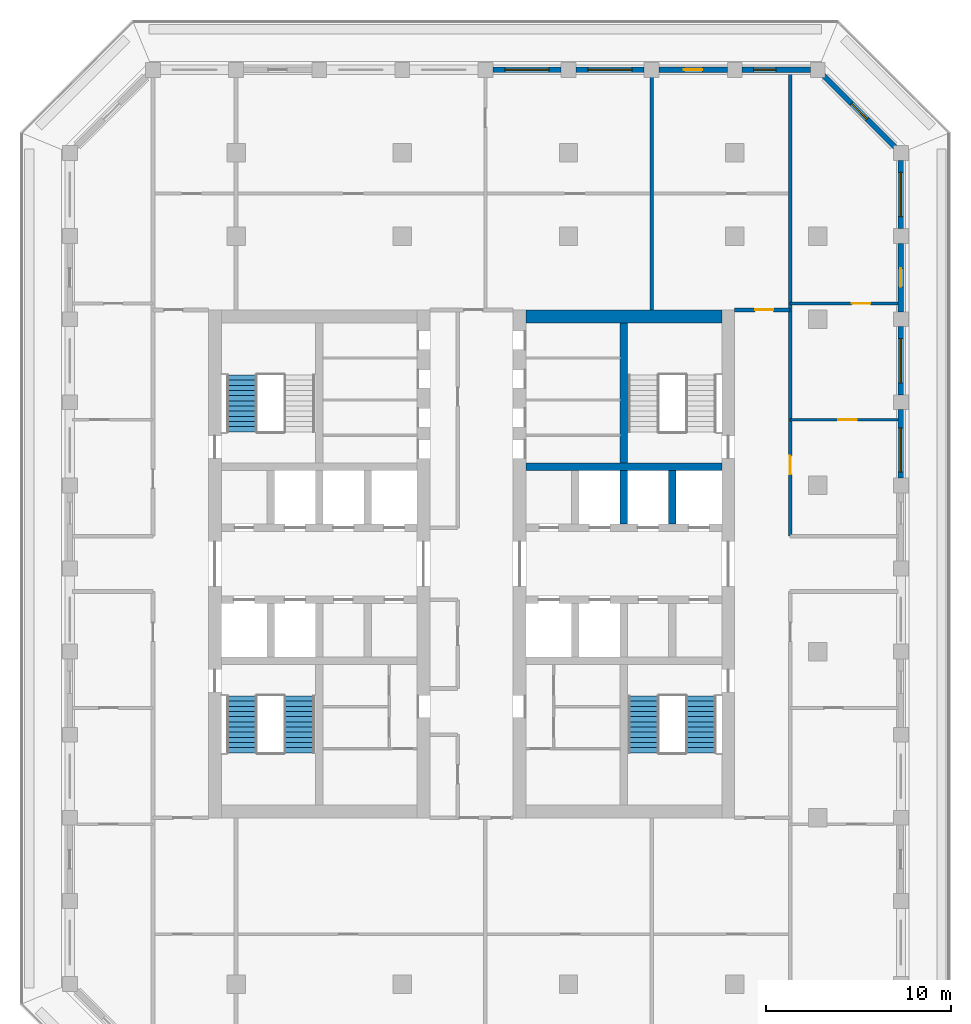
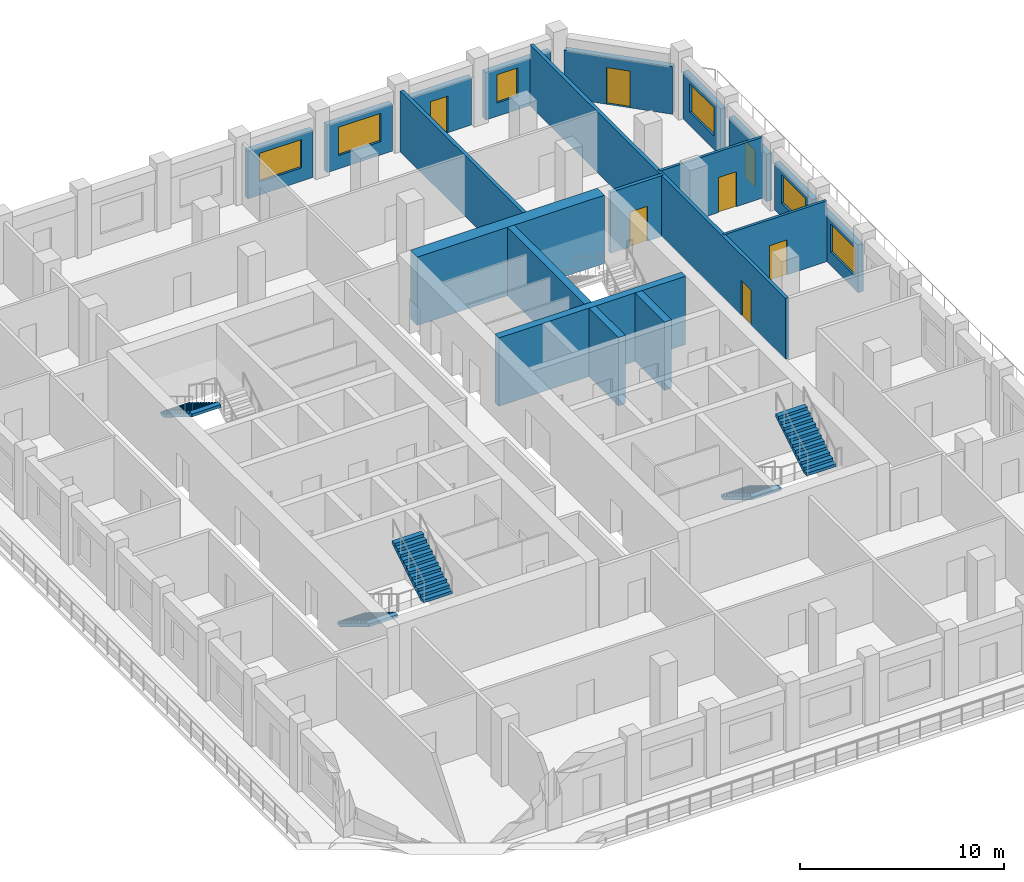
# One storey, part 7 of 17: 19 walls, 7 doors, 6 windows, 5 stair flights, 13 openings, 3 elements without a shape of their own.
"""IFC4 building model written with IfcOpenShell, lengths in metres."""

from ifc_helpers import new_model, si_unit, direction, frame, frame_2d, origin, place, context, subcontext, project, spatial, polyline, rectangle, outline, extrude, material, layer, layer_set, type_object, element, fill, aggregate, save


model = new_model("IFC4")

# Units and contexts
model_context = context("Model", 3, precision=1e-05, world=origin(), true_north=direction((0.0, 1.0)))
body_context = subcontext(model_context, "Body", "Model", "MODEL_VIEW")
ifc_project = project(units=[si_unit("LENGTHUNIT", "METRE"), si_unit("AREAUNIT", "SQUARE_METRE"), si_unit("VOLUMEUNIT", "CUBIC_METRE"), si_unit("PLANEANGLEUNIT", "RADIAN"), si_unit("MASSUNIT", "GRAM", prefix="KILO")], contexts=[model_context])

# Site, building, storey
site_placement = place(None, origin())
site = spatial("IfcSite", under=ifc_project, at=site_placement, CompositionType="ELEMENT")
building_placement = place(site_placement, origin())
building = spatial("IfcBuilding", under=site, at=building_placement, Name="Corbel Stack Research Tower", CompositionType="ELEMENT")
storey_placement = place(building_placement, frame((0.0, 0.0, 235.699951171875)))
storey = spatial("IfcBuildingStorey", under=building, at=storey_placement, Name="L53", CompositionType="ELEMENT", Elevation=235.699951171875)

# Walls
ifc_material_1 = material(Name="Concrete C60/75", Category="concrete")
ifc_layer_1 = layer(ifc_material_1, 0.39990234375)
ifc_layer_set_1 = layer_set([ifc_layer_1], Name="Concrete C60/75")
wall_type_1 = type_object("IfcWallType", Name="CW-400-60", PredefinedType="SHEAR", material=ifc_layer_set_1)
wall_1_placement = place(storey_placement, frame((6.699951171875, 10.0, 0.0), z_axis=(0.0, 0.0, 1.0), x_axis=(1.0, 0.0, 0.0)))
element("IfcWall", 1, at=wall_1_placement, inside=storey, type_object=wall_type_1, Name="East core wall, north row back L53", PredefinedType="SHEAR", context=body_context, shape_type="SweptSolid", body=[
    extrude(rectangle(XDim=10.60009765625, YDim=0.39990234375, at=frame_2d((5.300048828125, 0.0))), origin(), (0.0, 0.0, 1.0), 4.10009765625),
])
for number, where, z_axis, x_axis, name in (
    (2, (12.0, 6.89990234375, 0.0), (0.0, 0.0, 1.0), (0.0, 1.0, 0.0), "East core wall, north shaft 2 L53"),
    (3, (14.625, 6.89990234375, 0.0), (0.0, 0.0, 1.0), (0.0, 1.0, 0.0), "East core wall, north shaft 3 L53"),
):
    element("IfcWall", number, at=place(storey_placement, frame(where, z_axis=z_axis, x_axis=x_axis)), inside=storey, type_object=wall_type_1, Name=name, PredefinedType="SHEAR", context=body_context, shape_type="SweptSolid", body=[
        extrude(rectangle(XDim=2.900146484375, YDim=0.39990234375, at=frame_2d((1.4501953125, 0.0))), origin(), (0.0, 0.0, 1.0), 4.10009765625),
    ])
wall_2_placement = place(storey_placement, frame((12.0, 10.199951171875, 0.0), z_axis=(0.0, 0.0, 1.0), x_axis=(0.0, 1.0, 0.0)))
element("IfcWall", 4, at=wall_2_placement, inside=storey, type_object=wall_type_1, Name="East core wall, north stair and riser L53", PredefinedType="SHEAR", context=body_context, shape_type="SweptSolid", body=[
    extrude(rectangle(XDim=7.60009765625, YDim=0.39990234375, at=frame_2d((3.800048828125, 0.0))), origin(), (0.0, 0.0, 1.0), 4.10009765625),
])
ifc_material_2 = material(Name="Concrete C60/75", Category="concrete")
ifc_layer_2 = layer(ifc_material_2, 0.699951171875)
ifc_layer_set_2 = layer_set([ifc_layer_2], Name="Concrete C60/75")
wall_type_2 = type_object("IfcWallType", Name="CW-700-60", PredefinedType="SHEAR", material=ifc_layer_set_2)
wall_3_placement = place(storey_placement, frame((6.699951171875, 18.14990234375, 0.0), z_axis=(0.0, 0.0, 1.0), x_axis=(1.0, 0.0, 0.0)))
element("IfcWall", 5, at=wall_3_placement, inside=storey, type_object=wall_type_2, Name="East core wall, north end L53", PredefinedType="SHEAR", context=body_context, shape_type="SweptSolid", body=[
    extrude(rectangle(XDim=10.60009765625, YDim=0.699951171875, at=frame_2d((5.300048828125, 0.0))), origin(), (0.0, 0.0, 1.0), 4.10009765625),
])
ifc_material_3 = material(Name="Fire-rated gypsum board partition on steel studs", Category="steel")
ifc_layer_3 = layer(ifc_material_3, 0.199951171875)
ifc_layer_set_3 = layer_set([ifc_layer_3], Name="Fire-rated gypsum board partition on steel studs")
wall_type_3 = type_object("IfcWallType", Name="Fire-rated partition 200 EI 60", PredefinedType="PARTITIONING", material=ifc_layer_set_3)
wall_4_placement = place(storey_placement, frame((13.5, 18.5, 0.0), z_axis=(0.0, 0.0, 1.0), x_axis=(0.0, 1.0, 0.0)))
element("IfcWall", 6, at=wall_4_placement, inside=storey, type_object=wall_type_3, Name="Partition L53-014", PredefinedType="PARTITIONING", context=body_context, shape_type="SweptSolid", body=[
    extrude(rectangle(XDim=12.60009765625, YDim=0.199951171875, at=frame_2d((6.300048828125, 0.0))), origin(), (0.0, 0.0, 1.0), 3.650146484375),
])

# Wall, opening, door
wall_5_placement = place(storey_placement, frame((21.0, 31.35009765625, 0.0), z_axis=(0.0, 0.0, 1.0), x_axis=(0.0, -1.0, 0.0)))
wall_5 = element("IfcWall", 7, at=wall_5_placement, inside=storey, type_object=wall_type_3, Name="Partition L53-016", PredefinedType="PARTITIONING", context=body_context, shape_type="SweptSolid", body=[
    extrude(rectangle(XDim=25.10009765625, YDim=0.199951171875, at=frame_2d((12.550048828125, 0.0))), origin(), (0.0, 0.0, 1.0), 3.650146484375),
])
opening_1_placement = place(wall_5_placement, frame((20.75, 0.0, 0.0)))
opening_1 = element("IfcOpeningElement", 8, at=opening_1_placement, cuts=wall_5, Name="Opening B7V0-027", PredefinedType="OPENING", context=body_context, shape_type="SweptSolid", body=[
    extrude(rectangle(XDim=1.0, YDim=2.10009765625, at=frame_2d((0.5, 1.050048828125))), frame((0.0, 0.10986328125, 0.0), z_axis=(0.0, -1.0, 0.0), x_axis=(1.0, 0.0, 0.0)), (0.0, 0.0, 1.0), 0.219970703125),
])
ifc_material_4 = material(Name="Painted steel fire door", Category="steel")
door_type_1 = type_object("IfcDoorType", Name="Fire door FD30S 1000 x 2100", OperationType="NOTDEFINED", PredefinedType="DOOR", material=ifc_material_4)
door_1_placement = place(opening_1_placement, origin())
door_1 = element("IfcDoor", 9, at=door_1_placement, inside=storey, type_object=door_type_1, Name="Door B7V0-027", OperationType="SINGLE_SWING_RIGHT", OverallHeight=2.10009765625, OverallWidth=1.0, PredefinedType="DOOR", context=body_context, shape_type="SweptSolid", body=[
    extrude(rectangle(XDim=1.0, YDim=2.10009765625, at=frame_2d((0.5, 1.050048828125))), frame((0.0, 0.02490234375, 0.0), z_axis=(0.0, -1.0, 0.0), x_axis=(1.0, 0.0, 0.0)), (0.0, 0.0, 1.0), 0.050048828125),
])
fill(opening_1, door_1)

wall_6_placement = place(storey_placement, frame((18.0, 18.5, 0.0), z_axis=(0.0, 0.0, 1.0), x_axis=(1.0, 0.0, 0.0)))
wall_6 = element("IfcWall", 10, at=wall_6_placement, inside=storey, type_object=wall_type_3, Name="Partition L53-038", PredefinedType="PARTITIONING", context=body_context, shape_type="SweptSolid", body=[
    extrude(rectangle(XDim=3.0, YDim=0.199951171875, at=frame_2d((1.5, 0.0))), origin(), (0.0, 0.0, 1.0), 3.650146484375),
])
opening_2_placement = place(wall_6_placement, frame((1.10009765625, 0.0, 0.0)))
opening_2 = element("IfcOpeningElement", 11, at=opening_2_placement, cuts=wall_6, Name="Opening B7V0-023", PredefinedType="OPENING", context=body_context, shape_type="SweptSolid", body=[
    extrude(rectangle(XDim=1.0, YDim=2.10009765625, at=frame_2d((0.5, 1.050048828125))), frame((0.0, 0.10986328125, 0.0), z_axis=(0.0, -1.0, 0.0), x_axis=(1.0, 0.0, 0.0)), (0.0, 0.0, 1.0), 0.219970703125),
])
door_2_placement = place(opening_2_placement, origin())
door_2 = element("IfcDoor", 12, at=door_2_placement, inside=storey, type_object=door_type_1, Name="Door B7V0-023", OperationType="SINGLE_SWING_RIGHT", OverallHeight=2.10009765625, OverallWidth=1.0, PredefinedType="DOOR", context=body_context, shape_type="SweptSolid", body=[
    extrude(rectangle(XDim=1.0, YDim=2.10009765625, at=frame_2d((0.5, 1.050048828125))), frame((0.0, 0.02490234375, 0.0), z_axis=(0.0, -1.0, 0.0), x_axis=(1.0, 0.0, 0.0)), (0.0, 0.0, 1.0), 0.050048828125),
])
fill(opening_2, door_2)

ifc_material_5 = material(Name="Gypsum board partition on steel studs", Category="steel")
ifc_layer_4 = layer(ifc_material_5, 0.14990234375)
ifc_layer_set_4 = layer_set([ifc_layer_4], Name="Gypsum board partition on steel studs")
wall_type_4 = type_object("IfcWallType", Name="Partition 150", PredefinedType="PARTITIONING", material=ifc_layer_set_4)
wall_7_placement = place(storey_placement, frame((21.0, 12.550048828125, 0.0), z_axis=(0.0, 0.0, 1.0), x_axis=(1.0, 0.0, 0.0)))
wall_7 = element("IfcWall", 13, at=wall_7_placement, inside=storey, type_object=wall_type_4, Name="Partition L53-035", PredefinedType="PARTITIONING", context=body_context, shape_type="SweptSolid", body=[
    extrude(rectangle(XDim=5.85009765625, YDim=0.14990234375, at=frame_2d((2.925048828125, 0.0))), origin(), (0.0, 0.0, 1.0), 3.650146484375),
])
opening_3_placement = place(wall_7_placement, frame((2.60009765625, 0.0, 0.0)))
opening_3 = element("IfcOpeningElement", 14, at=opening_3_placement, cuts=wall_7, Name="Opening B7V0-020", PredefinedType="OPENING", context=body_context, shape_type="SweptSolid", body=[
    extrude(rectangle(XDim=1.0, YDim=2.10009765625, at=frame_2d((0.5, 1.050048828125))), frame((0.0, 0.0849609375, 0.0), z_axis=(0.0, -1.0, 0.0), x_axis=(1.0, 0.0, 0.0)), (0.0, 0.0, 1.0), 0.169921875),
])
ifc_material_6 = material(Name="Painted timber door", Category="wood")
door_type_2 = type_object("IfcDoorType", Name="Single door 1000 x 2100", OperationType="NOTDEFINED", PredefinedType="DOOR", material=ifc_material_6)
door_3_placement = place(opening_3_placement, origin())
door_3 = element("IfcDoor", 15, at=door_3_placement, inside=storey, type_object=door_type_2, Name="Door B7V0-020", OperationType="SINGLE_SWING_RIGHT", OverallHeight=2.10009765625, OverallWidth=1.0, PredefinedType="DOOR", context=body_context, shape_type="SweptSolid", body=[
    extrude(rectangle(XDim=1.0, YDim=2.10009765625, at=frame_2d((0.5, 1.050048828125))), frame((0.0, 0.02490234375, 0.0), z_axis=(0.0, -1.0, 0.0), x_axis=(1.0, 0.0, 0.0)), (0.0, 0.0, 1.0), 0.050048828125),
])
fill(opening_3, door_3)

wall_8_placement = place(storey_placement, frame((21.0, 18.85009765625, 0.0), z_axis=(0.0, 0.0, 1.0), x_axis=(1.0, 0.0, 0.0)))
wall_8 = element("IfcWall", 16, at=wall_8_placement, inside=storey, type_object=wall_type_4, Name="Partition L53-040", PredefinedType="PARTITIONING", context=body_context, shape_type="SweptSolid", body=[
    extrude(rectangle(XDim=5.85009765625, YDim=0.14990234375, at=frame_2d((2.925048828125, 0.0))), origin(), (0.0, 0.0, 1.0), 3.650146484375),
])
opening_4_placement = place(wall_8_placement, frame((3.35009765625, 0.0, 0.0)))
opening_4 = element("IfcOpeningElement", 17, at=opening_4_placement, cuts=wall_8, Name="Opening B7V0-025", PredefinedType="OPENING", context=body_context, shape_type="SweptSolid", body=[
    extrude(rectangle(XDim=1.0, YDim=2.10009765625, at=frame_2d((0.5, 1.050048828125))), frame((0.0, 0.0849609375, 0.0), z_axis=(0.0, -1.0, 0.0), x_axis=(1.0, 0.0, 0.0)), (0.0, 0.0, 1.0), 0.169921875),
])
door_4_placement = place(opening_4_placement, origin())
door_4 = element("IfcDoor", 18, at=door_4_placement, inside=storey, type_object=door_type_2, Name="Door B7V0-025", OperationType="SINGLE_SWING_RIGHT", OverallHeight=2.10009765625, OverallWidth=1.0, PredefinedType="DOOR", context=body_context, shape_type="SweptSolid", body=[
    extrude(rectangle(XDim=1.0, YDim=2.10009765625, at=frame_2d((0.5, 1.050048828125))), frame((0.0, 0.02490234375, 0.0), z_axis=(0.0, -1.0, 0.0), x_axis=(1.0, 0.0, 0.0)), (0.0, 0.0, 1.0), 0.050048828125),
])
fill(opening_4, door_4)

# Wall, opening, window
ifc_material_7 = material(Name="Concrete C45/55", Category="concrete")
ifc_layer_5 = layer(ifc_material_7, 0.300048828125)
ifc_layer_set_5 = layer_set([ifc_layer_5], Name="Concrete C45/55")
wall_type_5 = type_object("IfcWallType", Name="Terracotta-faced concrete wall 300", PredefinedType="SOLIDWALL", material=ifc_layer_set_5)
wall_9_placement = place(storey_placement, frame((27.0, 13.10009765625, 0.0), z_axis=(0.0, 0.0, 1.0), x_axis=(0.0, -1.0, 0.0)))
wall_9 = element("IfcWall", 19, at=wall_9_placement, inside=storey, type_object=wall_type_5, Name="Facade wall L53 E07", PredefinedType="SOLIDWALL", context=body_context, shape_type="SweptSolid", body=[
    extrude(rectangle(XDim=3.7001953125, YDim=0.300048828125, at=frame_2d((1.85009765625, 0.0))), origin(), (0.0, 0.0, 1.0), 2.85009765625),
])
opening_5_placement = place(wall_9_placement, frame((0.987548828125, 0.0, 0.800048828125)))
opening_5 = element("IfcOpeningElement", 20, at=opening_5_placement, cuts=wall_9, Name="Opening W1", PredefinedType="OPENING", context=body_context, shape_type="SweptSolid", body=[
    extrude(rectangle(XDim=2.39990234375, YDim=1.699951171875, at=frame_2d((1.199951171875, 0.85009765625))), frame((0.0, 0.159912109375, 0.0), z_axis=(0.0, -1.0, 0.0), x_axis=(1.0, 0.0, 0.0)), (0.0, 0.0, 1.0), 0.320068359375),
])
ifc_material_8 = material(Name="Aluminium frame, clear double glazing", Category="aluminium")
window_type_1 = type_object("IfcWindowType", Name="Window W1 2400 x 1700", PartitioningType="SINGLE_PANEL", PredefinedType="WINDOW", material=ifc_material_8)
window_1_placement = place(opening_5_placement, origin())
window_1 = element("IfcWindow", 21, at=window_1_placement, inside=storey, type_object=window_type_1, Name="Window W1 L53 E07", OverallHeight=1.699951171875, OverallWidth=2.39990234375, PartitioningType="SINGLE_PANEL", PredefinedType="WINDOW", context=body_context, shape_type="SweptSolid", body=[
    extrude(rectangle(XDim=2.39990234375, YDim=1.699951171875, at=frame_2d((1.199951171875, 0.85009765625))), frame((0.0, 0.030029296875, 0.0), z_axis=(0.0, -1.0, 0.0), x_axis=(1.0, 0.0, 0.0)), (0.0, 0.0, 1.0), 0.06005859375),
])
fill(opening_5, window_1)

wall_10_placement = place(storey_placement, frame((27.0, 17.60009765625, 0.0), z_axis=(0.0, 0.0, 1.0), x_axis=(0.0, -1.0, 0.0)))
wall_10 = element("IfcWall", 22, at=wall_10_placement, inside=storey, type_object=wall_type_5, Name="Facade wall L53 E08", PredefinedType="SOLIDWALL", context=body_context, shape_type="SweptSolid", body=[
    extrude(rectangle(XDim=3.7001953125, YDim=0.300048828125, at=frame_2d((1.85009765625, 0.0))), origin(), (0.0, 0.0, 1.0), 2.85009765625),
])
opening_6_placement = place(wall_10_placement, frame((0.64990234375, 0.0, 0.800048828125)))
opening_6 = element("IfcOpeningElement", 23, at=opening_6_placement, cuts=wall_10, Name="Opening W1", PredefinedType="OPENING", context=body_context, shape_type="SweptSolid", body=[
    extrude(rectangle(XDim=2.39990234375, YDim=1.699951171875, at=frame_2d((1.199951171875, 0.85009765625))), frame((0.0, 0.159912109375, 0.0), z_axis=(0.0, -1.0, 0.0), x_axis=(1.0, 0.0, 0.0)), (0.0, 0.0, 1.0), 0.320068359375),
])
window_2_placement = place(opening_6_placement, origin())
window_2 = element("IfcWindow", 24, at=window_2_placement, inside=storey, type_object=window_type_1, Name="Window W1 L53 E08", OverallHeight=1.699951171875, OverallWidth=2.39990234375, PartitioningType="SINGLE_PANEL", PredefinedType="WINDOW", context=body_context, shape_type="SweptSolid", body=[
    extrude(rectangle(XDim=2.39990234375, YDim=1.699951171875, at=frame_2d((1.199951171875, 0.85009765625))), frame((0.0, 0.030029296875, 0.0), z_axis=(0.0, -1.0, 0.0), x_axis=(1.0, 0.0, 0.0)), (0.0, 0.0, 1.0), 0.06005859375),
])
fill(opening_6, window_2)

# Wall, opening, door
wall_11_placement = place(storey_placement, frame((27.0, 22.10009765625, 0.0), z_axis=(0.0, 0.0, 1.0), x_axis=(0.0, -1.0, 0.0)))
wall_11 = element("IfcWall", 25, at=wall_11_placement, inside=storey, type_object=wall_type_5, Name="Facade wall L53 E09", PredefinedType="SOLIDWALL", context=body_context, shape_type="SweptSolid", body=[
    extrude(rectangle(XDim=3.7001953125, YDim=0.300048828125, at=frame_2d((1.85009765625, 0.0))), origin(), (0.0, 0.0, 1.0), 2.85009765625),
])
opening_7_placement = place(wall_11_placement, frame((1.35009765625, 0.0, 0.0)))
opening_7 = element("IfcOpeningElement", 26, at=opening_7_placement, cuts=wall_11, Name="Opening L53-B05", PredefinedType="OPENING", context=body_context, shape_type="SweptSolid", body=[
    extrude(rectangle(XDim=1.0, YDim=2.199951171875, at=frame_2d((0.5, 1.10009765625))), frame((0.0, 0.159912109375, 0.0), z_axis=(0.0, -1.0, 0.0), x_axis=(1.0, 0.0, 0.0)), (0.0, 0.0, 1.0), 0.320068359375),
])
ifc_material_9 = material(Name="Aluminium frame, clear double glazing", Category="aluminium")
door_type_3 = type_object("IfcDoorType", Name="Balcony door BD1 1000 x 2200", OperationType="NOTDEFINED", PredefinedType="DOOR", material=ifc_material_9)
door_5_placement = place(opening_7_placement, origin())
door_5 = element("IfcDoor", 27, at=door_5_placement, inside=storey, type_object=door_type_3, Name="Balcony door L53-B05", OperationType="SINGLE_SWING_RIGHT", OverallHeight=2.199951171875, OverallWidth=1.0, PredefinedType="DOOR", context=body_context, shape_type="SweptSolid", body=[
    extrude(rectangle(XDim=1.0, YDim=2.199951171875, at=frame_2d((0.5, 1.10009765625))), frame((0.0, 0.02490234375, 0.0), z_axis=(0.0, -1.0, 0.0), x_axis=(1.0, 0.0, 0.0)), (0.0, 0.0, 1.0), 0.050048828125),
])
fill(opening_7, door_5)

# Wall, opening, window
wall_12_placement = place(storey_placement, frame((27.0, 26.60009765625, 0.0), z_axis=(0.0, 0.0, 1.0), x_axis=(0.0, -1.0, 0.0)))
wall_12 = element("IfcWall", 28, at=wall_12_placement, inside=storey, type_object=wall_type_5, Name="Facade wall L53 E10", PredefinedType="SOLIDWALL", context=body_context, shape_type="SweptSolid", body=[
    extrude(rectangle(XDim=3.7001953125, YDim=0.300048828125, at=frame_2d((1.85009765625, 0.0))), origin(), (0.0, 0.0, 1.0), 2.85009765625),
])
opening_8_placement = place(wall_12_placement, frame((0.64990234375, 0.0, 0.800048828125)))
opening_8 = element("IfcOpeningElement", 29, at=opening_8_placement, cuts=wall_12, Name="Opening W1", PredefinedType="OPENING", context=body_context, shape_type="SweptSolid", body=[
    extrude(rectangle(XDim=2.39990234375, YDim=1.699951171875, at=frame_2d((1.199951171875, 0.85009765625))), frame((0.0, 0.159912109375, 0.0), z_axis=(0.0, -1.0, 0.0), x_axis=(1.0, 0.0, 0.0)), (0.0, 0.0, 1.0), 0.320068359375),
])
window_3_placement = place(opening_8_placement, origin())
window_3 = element("IfcWindow", 30, at=window_3_placement, inside=storey, type_object=window_type_1, Name="Window W1 L53 E10", OverallHeight=1.699951171875, OverallWidth=2.39990234375, PartitioningType="SINGLE_PANEL", PredefinedType="WINDOW", context=body_context, shape_type="SweptSolid", body=[
    extrude(rectangle(XDim=2.39990234375, YDim=1.699951171875, at=frame_2d((1.199951171875, 0.85009765625))), frame((0.0, 0.030029296875, 0.0), z_axis=(0.0, -1.0, 0.0), x_axis=(1.0, 0.0, 0.0)), (0.0, 0.0, 1.0), 0.06005859375),
])
fill(opening_8, window_3)

# Wall, opening, door
wall_13_placement = place(storey_placement, frame((22.7939453125, 31.2060546875, 0.0), z_axis=(0.0, 0.0, 1.0), x_axis=(0.707106781187, -0.707106781187, 0.0)))
wall_13 = element("IfcWall", 31, at=wall_13_placement, inside=storey, type_object=wall_type_5, Name="Facade wall L53 NE01", PredefinedType="SOLIDWALL", context=body_context, shape_type="SweptSolid", body=[
    extrude(rectangle(XDim=5.532470703125, YDim=0.300048828125, at=frame_2d((2.76611328125, 0.0))), origin(), (0.0, 0.0, 1.0), 2.85009765625),
])
opening_9_placement = place(wall_13_placement, frame((2.166259765625, 0.0, 0.0)))
opening_9 = element("IfcOpeningElement", 32, at=opening_9_placement, cuts=wall_13, Name="Opening L53-B06", PredefinedType="OPENING", context=body_context, shape_type="SweptSolid", body=[
    extrude(rectangle(XDim=1.199951171875, YDim=2.199951171875, at=frame_2d((0.60009765625, 1.10009765625))), frame((0.0, 0.159912109375, 0.0), z_axis=(0.0, -1.0, 0.0), x_axis=(1.0, 0.0, 0.0)), (0.0, 0.0, 1.0), 0.320068359375),
])
ifc_material_10 = material(Name="Aluminium frame, clear double glazing", Category="aluminium")
door_type_4 = type_object("IfcDoorType", Name="Balcony door BD2 1200 x 2200", OperationType="NOTDEFINED", PredefinedType="DOOR", material=ifc_material_10)
door_6_placement = place(opening_9_placement, origin())
door_6 = element("IfcDoor", 33, at=door_6_placement, inside=storey, type_object=door_type_4, Name="Balcony door L53-B06", OperationType="SINGLE_SWING_RIGHT", OverallHeight=2.199951171875, OverallWidth=1.199951171875, PredefinedType="DOOR", context=body_context, shape_type="SweptSolid", body=[
    extrude(rectangle(XDim=1.199951171875, YDim=2.199951171875, at=frame_2d((0.60009765625, 1.10009765625))), frame((0.0, 0.02490234375, 0.0), z_axis=(0.0, -1.0, 0.0), x_axis=(1.0, 0.0, 0.0)), (0.0, 0.0, 1.0), 0.050048828125),
])
fill(opening_9, door_6)

# Wall, opening, window
wall_14_placement = place(storey_placement, frame((18.39990234375, 31.5, 0.0), z_axis=(0.0, 0.0, 1.0), x_axis=(1.0, 0.0, 0.0)))
wall_14 = element("IfcWall", 34, at=wall_14_placement, inside=storey, type_object=wall_type_5, Name="Facade wall L53 N01", PredefinedType="SOLIDWALL", context=body_context, shape_type="SweptSolid", body=[
    extrude(rectangle(XDim=3.7001953125, YDim=0.300048828125, at=frame_2d((1.85009765625, 0.0))), origin(), (0.0, 0.0, 1.0), 2.85009765625),
])
opening_10_placement = place(wall_14_placement, frame((0.625, 0.0, 0.800048828125)))
opening_10 = element("IfcOpeningElement", 35, at=opening_10_placement, cuts=wall_14, Name="Opening W2", PredefinedType="OPENING", context=body_context, shape_type="SweptSolid", body=[
    extrude(rectangle(XDim=1.199951171875, YDim=1.699951171875, at=frame_2d((0.60009765625, 0.85009765625))), frame((0.0, 0.159912109375, 0.0), z_axis=(0.0, -1.0, 0.0), x_axis=(1.0, 0.0, 0.0)), (0.0, 0.0, 1.0), 0.320068359375),
])
ifc_material_11 = material(Name="Aluminium frame, clear double glazing", Category="aluminium")
window_type_2 = type_object("IfcWindowType", Name="Window W2 1200 x 1700", PartitioningType="SINGLE_PANEL", PredefinedType="WINDOW", material=ifc_material_11)
window_4_placement = place(opening_10_placement, origin())
window_4 = element("IfcWindow", 36, at=window_4_placement, inside=storey, type_object=window_type_2, Name="Window W2 L53 N01", OverallHeight=1.699951171875, OverallWidth=1.199951171875, PartitioningType="SINGLE_PANEL", PredefinedType="WINDOW", context=body_context, shape_type="SweptSolid", body=[
    extrude(rectangle(XDim=1.199951171875, YDim=1.699951171875, at=frame_2d((0.60009765625, 0.85009765625))), frame((0.0, 0.030029296875, 0.0), z_axis=(0.0, -1.0, 0.0), x_axis=(1.0, 0.0, 0.0)), (0.0, 0.0, 1.0), 0.06005859375),
])
fill(opening_10, window_4)

# Wall, opening, door
wall_15_placement = place(storey_placement, frame((13.89990234375, 31.5, 0.0), z_axis=(0.0, 0.0, 1.0), x_axis=(1.0, 0.0, 0.0)))
wall_15 = element("IfcWall", 37, at=wall_15_placement, inside=storey, type_object=wall_type_5, Name="Facade wall L53 N02", PredefinedType="SOLIDWALL", context=body_context, shape_type="SweptSolid", body=[
    extrude(rectangle(XDim=3.7001953125, YDim=0.300048828125, at=frame_2d((1.85009765625, 0.0))), origin(), (0.0, 0.0, 1.0), 2.85009765625),
])
opening_11_placement = place(wall_15_placement, frame((1.35009765625, 0.0, 0.0)))
opening_11 = element("IfcOpeningElement", 38, at=opening_11_placement, cuts=wall_15, Name="Opening L53-B07", PredefinedType="OPENING", context=body_context, shape_type="SweptSolid", body=[
    extrude(rectangle(XDim=1.0, YDim=2.199951171875, at=frame_2d((0.5, 1.10009765625))), frame((0.0, 0.159912109375, 0.0), z_axis=(0.0, -1.0, 0.0), x_axis=(1.0, 0.0, 0.0)), (0.0, 0.0, 1.0), 0.320068359375),
])
door_7_placement = place(opening_11_placement, origin())
door_7 = element("IfcDoor", 39, at=door_7_placement, inside=storey, type_object=door_type_3, Name="Balcony door L53-B07", OperationType="SINGLE_SWING_LEFT", OverallHeight=2.199951171875, OverallWidth=1.0, PredefinedType="DOOR", context=body_context, shape_type="SweptSolid", body=[
    extrude(rectangle(XDim=1.0, YDim=2.199951171875, at=frame_2d((0.5, 1.10009765625))), frame((0.0, 0.02490234375, 0.0), z_axis=(0.0, -1.0, 0.0), x_axis=(1.0, 0.0, 0.0)), (0.0, 0.0, 1.0), 0.050048828125),
])
fill(opening_11, door_7)

# Wall, opening, window
wall_16_placement = place(storey_placement, frame((9.39990234375, 31.5, 0.0), z_axis=(0.0, 0.0, 1.0), x_axis=(1.0, 0.0, 0.0)))
wall_16 = element("IfcWall", 40, at=wall_16_placement, inside=storey, type_object=wall_type_5, Name="Facade wall L53 N03", PredefinedType="SOLIDWALL", context=body_context, shape_type="SweptSolid", body=[
    extrude(rectangle(XDim=3.7001953125, YDim=0.300048828125, at=frame_2d((1.85009765625, 0.0))), origin(), (0.0, 0.0, 1.0), 2.85009765625),
])
opening_12_placement = place(wall_16_placement, frame((0.64990234375, 0.0, 0.800048828125)))
opening_12 = element("IfcOpeningElement", 41, at=opening_12_placement, cuts=wall_16, Name="Opening W1", PredefinedType="OPENING", context=body_context, shape_type="SweptSolid", body=[
    extrude(rectangle(XDim=2.39990234375, YDim=1.699951171875, at=frame_2d((1.199951171875, 0.85009765625))), frame((0.0, 0.159912109375, 0.0), z_axis=(0.0, -1.0, 0.0), x_axis=(1.0, 0.0, 0.0)), (0.0, 0.0, 1.0), 0.320068359375),
])
window_5_placement = place(opening_12_placement, origin())
window_5 = element("IfcWindow", 42, at=window_5_placement, inside=storey, type_object=window_type_1, Name="Window W1 L53 N03", OverallHeight=1.699951171875, OverallWidth=2.39990234375, PartitioningType="SINGLE_PANEL", PredefinedType="WINDOW", context=body_context, shape_type="SweptSolid", body=[
    extrude(rectangle(XDim=2.39990234375, YDim=1.699951171875, at=frame_2d((1.199951171875, 0.85009765625))), frame((0.0, 0.030029296875, 0.0), z_axis=(0.0, -1.0, 0.0), x_axis=(1.0, 0.0, 0.0)), (0.0, 0.0, 1.0), 0.06005859375),
])
fill(opening_12, window_5)

wall_17_placement = place(storey_placement, frame((4.89990234375, 31.5, 0.0), z_axis=(0.0, 0.0, 1.0), x_axis=(1.0, 0.0, 0.0)))
wall_17 = element("IfcWall", 43, at=wall_17_placement, inside=storey, type_object=wall_type_5, Name="Facade wall L53 N04", PredefinedType="SOLIDWALL", context=body_context, shape_type="SweptSolid", body=[
    extrude(rectangle(XDim=3.7001953125, YDim=0.300048828125, at=frame_2d((1.85009765625, 0.0))), origin(), (0.0, 0.0, 1.0), 2.85009765625),
])
opening_13_placement = place(wall_17_placement, frame((0.64990234375, 0.0, 0.800048828125)))
opening_13 = element("IfcOpeningElement", 44, at=opening_13_placement, cuts=wall_17, Name="Opening W1", PredefinedType="OPENING", context=body_context, shape_type="SweptSolid", body=[
    extrude(rectangle(XDim=2.39990234375, YDim=1.699951171875, at=frame_2d((1.199951171875, 0.85009765625))), frame((0.0, 0.159912109375, 0.0), z_axis=(0.0, -1.0, 0.0), x_axis=(1.0, 0.0, 0.0)), (0.0, 0.0, 1.0), 0.320068359375),
])
window_6_placement = place(opening_13_placement, origin())
window_6 = element("IfcWindow", 45, at=window_6_placement, inside=storey, type_object=window_type_1, Name="Window W1 L53 N04", OverallHeight=1.699951171875, OverallWidth=2.39990234375, PartitioningType="SINGLE_PANEL", PredefinedType="WINDOW", context=body_context, shape_type="SweptSolid", body=[
    extrude(rectangle(XDim=2.39990234375, YDim=1.699951171875, at=frame_2d((1.199951171875, 0.85009765625))), frame((0.0, 0.030029296875, 0.0), z_axis=(0.0, -1.0, 0.0), x_axis=(1.0, 0.0, 0.0)), (0.0, 0.0, 1.0), 0.06005859375),
])
fill(opening_13, window_6)

# Stair, stair flights
ifc_material_12 = material(Name="Concrete C40/50", Category="concrete")
stair_type = type_object("IfcStairType", Name="Exit stair 24 risers", PredefinedType="HALF_TURN_STAIR", material=ifc_material_12)
stair_1_placement = place(storey_placement, origin())
stair_1 = element("IfcStair", 46, at=stair_1_placement, inside=storey, type_object=stair_type, Name="L53 Exit stair ST-W1", PredefinedType="HALF_TURN_STAIR")
ifc_material_13 = material(Name="Concrete C40/50", Category="concrete")
stair_flight_type = type_object("IfcStairFlightType", Name="Stair flight 12 risers", PredefinedType="STRAIGHT", material=ifc_material_13)
stair_flight_1_placement = place(storey_placement, frame((-8.675048828125, -2.39990234375, 0.0), z_axis=(0.0, 0.0, 1.0), x_axis=(0.0, -1.0, 0.0)))
stair_flight_1 = element("IfcStairFlight", 47, at=stair_flight_1_placement, type_object=stair_flight_type, Name="ST-W1 flight 1", NumberOfRisers=12, NumberOfTreads=11, PredefinedType="STRAIGHT", RiserHeight=0.170833333, TreadLength=0.28, context=body_context, shape_type="SweptSolid", body=[
    extrude(outline(polyline([(0.0, 0.0), (0.0, 0.1708984375), (0.280029296875, 0.1708984375), (0.280029296875, 0.341552734375), (0.56005859375, 0.341552734375), (0.56005859375, 0.512451171875), (0.840087890625, 0.512451171875), (0.840087890625, 0.683349609375), (1.1201171875, 0.683349609375), (1.1201171875, 0.854248046875), (1.39990234375, 0.854248046875), (1.39990234375, 1.02490234375), (1.679931640625, 1.02490234375), (1.679931640625, 1.19580078125), (1.9599609375, 1.19580078125), (1.9599609375, 1.36669921875), (2.239990234375, 1.36669921875), (2.239990234375, 1.53759765625), (2.52001953125, 1.53759765625), (2.52001953125, 1.708251953125), (2.800048828125, 1.708251953125), (2.800048828125, 1.879150390625), (3.080078125, 1.879150390625), (3.080078125, 2.050048828125), (3.080078125, 1.70361328125), (0.287841796875, 0.0), (0.0, 0.0)])), frame((0.0, 0.824951171875, 0.0), z_axis=(0.0, -1.0, 0.0), x_axis=(1.0, 0.0, 0.0)), (0.0, 0.0, 1.0), 1.64990234375),
])
stair_flight_2_placement = place(storey_placement, frame((-5.574951171875, -5.47998046875, 2.050048828125), z_axis=(0.0, 0.0, 1.0), x_axis=(0.0, 1.0, 0.0)))
stair_flight_2 = element("IfcStairFlight", 48, at=stair_flight_2_placement, type_object=stair_flight_type, Name="ST-W1 flight 2", NumberOfRisers=12, NumberOfTreads=11, PredefinedType="STRAIGHT", RiserHeight=0.170833333, TreadLength=0.28, context=body_context, shape_type="SweptSolid", body=[
    extrude(outline(polyline([(0.0, 0.0), (0.0, 0.1708984375), (0.280029296875, 0.1708984375), (0.280029296875, 0.341552734375), (0.56005859375, 0.341552734375), (0.56005859375, 0.512451171875), (0.840087890625, 0.512451171875), (0.840087890625, 0.683349609375), (1.1201171875, 0.683349609375), (1.1201171875, 0.854248046875), (1.39990234375, 0.854248046875), (1.39990234375, 1.02490234375), (1.679931640625, 1.02490234375), (1.679931640625, 1.19580078125), (1.9599609375, 1.19580078125), (1.9599609375, 1.36669921875), (2.239990234375, 1.36669921875), (2.239990234375, 1.53759765625), (2.52001953125, 1.53759765625), (2.52001953125, 1.708251953125), (2.800048828125, 1.708251953125), (2.800048828125, 1.879150390625), (3.080078125, 1.879150390625), (3.080078125, 2.050048828125), (3.080078125, 1.70361328125), (0.287841796875, 0.0), (0.0, 0.0)])), frame((0.0, 0.824951171875, 0.0), z_axis=(0.0, -1.0, 0.0), x_axis=(1.0, 0.0, 0.0)), (0.0, 0.0, 1.0), 1.64990234375),
])
aggregate(stair_1, [stair_flight_1, stair_flight_2])

# Stair, stair flight
stair_2_placement = place(storey_placement, origin())
stair_2 = element("IfcStair", 49, at=stair_2_placement, inside=storey, type_object=stair_type, Name="L53 Exit stair ST-W2", PredefinedType="HALF_TURN_STAIR")
stair_flight_3_placement = place(storey_placement, frame((-8.675048828125, 14.97998046875, 2.050048828125), z_axis=(0.0, 0.0, 1.0), x_axis=(0.0, -1.0, 0.0)))
stair_flight_3 = element("IfcStairFlight", 50, at=stair_flight_3_placement, type_object=stair_flight_type, Name="ST-W2 flight 2", NumberOfRisers=12, NumberOfTreads=11, PredefinedType="STRAIGHT", RiserHeight=0.170833333, TreadLength=0.28, context=body_context, shape_type="SweptSolid", body=[
    extrude(outline(polyline([(0.0, 0.0), (0.0, 0.1708984375), (0.280029296875, 0.1708984375), (0.280029296875, 0.341552734375), (0.56005859375, 0.341552734375), (0.56005859375, 0.512451171875), (0.840087890625, 0.512451171875), (0.840087890625, 0.683349609375), (1.1201171875, 0.683349609375), (1.1201171875, 0.854248046875), (1.39990234375, 0.854248046875), (1.39990234375, 1.02490234375), (1.679931640625, 1.02490234375), (1.679931640625, 1.19580078125), (1.9599609375, 1.19580078125), (1.9599609375, 1.36669921875), (2.239990234375, 1.36669921875), (2.239990234375, 1.53759765625), (2.52001953125, 1.53759765625), (2.52001953125, 1.708251953125), (2.800048828125, 1.708251953125), (2.800048828125, 1.879150390625), (3.080078125, 1.879150390625), (3.080078125, 2.050048828125), (3.080078125, 1.70361328125), (0.287841796875, 0.0), (0.0, 0.0)])), frame((0.0, 0.824951171875, 0.0), z_axis=(0.0, -1.0, 0.0), x_axis=(1.0, 0.0, 0.0)), (0.0, 0.0, 1.0), 1.64990234375),
])
aggregate(stair_2, [stair_flight_3])

# Stair, stair flights
stair_3_placement = place(storey_placement, origin())
stair_3 = element("IfcStair", 51, at=stair_3_placement, inside=storey, type_object=stair_type, Name="L53 Exit stair ST-E1", PredefinedType="HALF_TURN_STAIR")
stair_flight_4_placement = place(storey_placement, frame((13.074951171875, -2.39990234375, 0.0), z_axis=(0.0, 0.0, 1.0), x_axis=(0.0, -1.0, 0.0)))
stair_flight_4 = element("IfcStairFlight", 52, at=stair_flight_4_placement, type_object=stair_flight_type, Name="ST-E1 flight 1", NumberOfRisers=12, NumberOfTreads=11, PredefinedType="STRAIGHT", RiserHeight=0.170833333, TreadLength=0.28, context=body_context, shape_type="SweptSolid", body=[
    extrude(outline(polyline([(0.0, 0.0), (0.0, 0.1708984375), (0.280029296875, 0.1708984375), (0.280029296875, 0.341552734375), (0.56005859375, 0.341552734375), (0.56005859375, 0.512451171875), (0.840087890625, 0.512451171875), (0.840087890625, 0.683349609375), (1.1201171875, 0.683349609375), (1.1201171875, 0.854248046875), (1.39990234375, 0.854248046875), (1.39990234375, 1.02490234375), (1.679931640625, 1.02490234375), (1.679931640625, 1.19580078125), (1.9599609375, 1.19580078125), (1.9599609375, 1.36669921875), (2.239990234375, 1.36669921875), (2.239990234375, 1.53759765625), (2.52001953125, 1.53759765625), (2.52001953125, 1.708251953125), (2.800048828125, 1.708251953125), (2.800048828125, 1.879150390625), (3.080078125, 1.879150390625), (3.080078125, 2.050048828125), (3.080078125, 1.70361328125), (0.287841796875, 0.0), (0.0, 0.0)])), frame((0.0, 0.824951171875, 0.0), z_axis=(0.0, -1.0, 0.0), x_axis=(1.0, 0.0, 0.0)), (0.0, 0.0, 1.0), 1.64990234375),
])
stair_flight_5_placement = place(storey_placement, frame((16.175048828125, -5.47998046875, 2.050048828125), z_axis=(0.0, 0.0, 1.0), x_axis=(0.0, 1.0, 0.0)))
stair_flight_5 = element("IfcStairFlight", 53, at=stair_flight_5_placement, type_object=stair_flight_type, Name="ST-E1 flight 2", NumberOfRisers=12, NumberOfTreads=11, PredefinedType="STRAIGHT", RiserHeight=0.170833333, TreadLength=0.28, context=body_context, shape_type="SweptSolid", body=[
    extrude(outline(polyline([(0.0, 0.0), (0.0, 0.1708984375), (0.280029296875, 0.1708984375), (0.280029296875, 0.341552734375), (0.56005859375, 0.341552734375), (0.56005859375, 0.512451171875), (0.840087890625, 0.512451171875), (0.840087890625, 0.683349609375), (1.1201171875, 0.683349609375), (1.1201171875, 0.854248046875), (1.39990234375, 0.854248046875), (1.39990234375, 1.02490234375), (1.679931640625, 1.02490234375), (1.679931640625, 1.19580078125), (1.9599609375, 1.19580078125), (1.9599609375, 1.36669921875), (2.239990234375, 1.36669921875), (2.239990234375, 1.53759765625), (2.52001953125, 1.53759765625), (2.52001953125, 1.708251953125), (2.800048828125, 1.708251953125), (2.800048828125, 1.879150390625), (3.080078125, 1.879150390625), (3.080078125, 2.050048828125), (3.080078125, 1.70361328125), (0.287841796875, 0.0), (0.0, 0.0)])), frame((0.0, 0.824951171875, 0.0), z_axis=(0.0, -1.0, 0.0), x_axis=(1.0, 0.0, 0.0)), (0.0, 0.0, 1.0), 1.64990234375),
])
aggregate(stair_3, [stair_flight_4, stair_flight_5])

save(model, "model.ifc")
